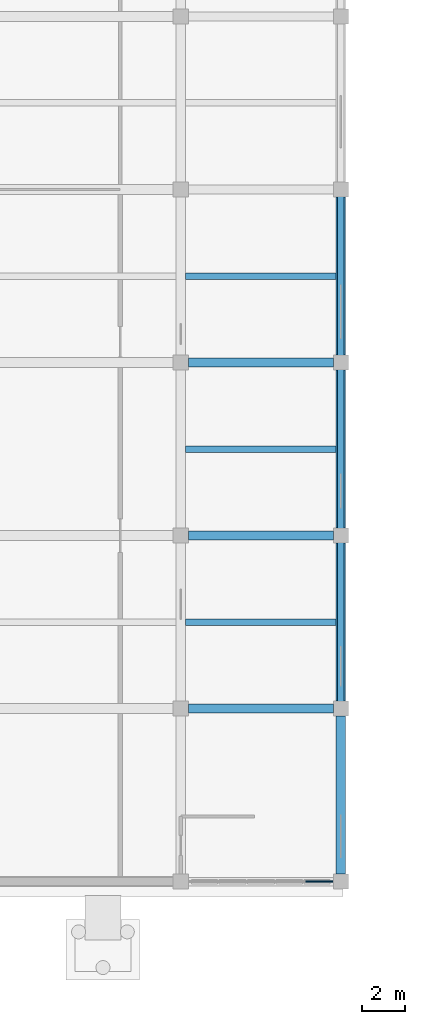
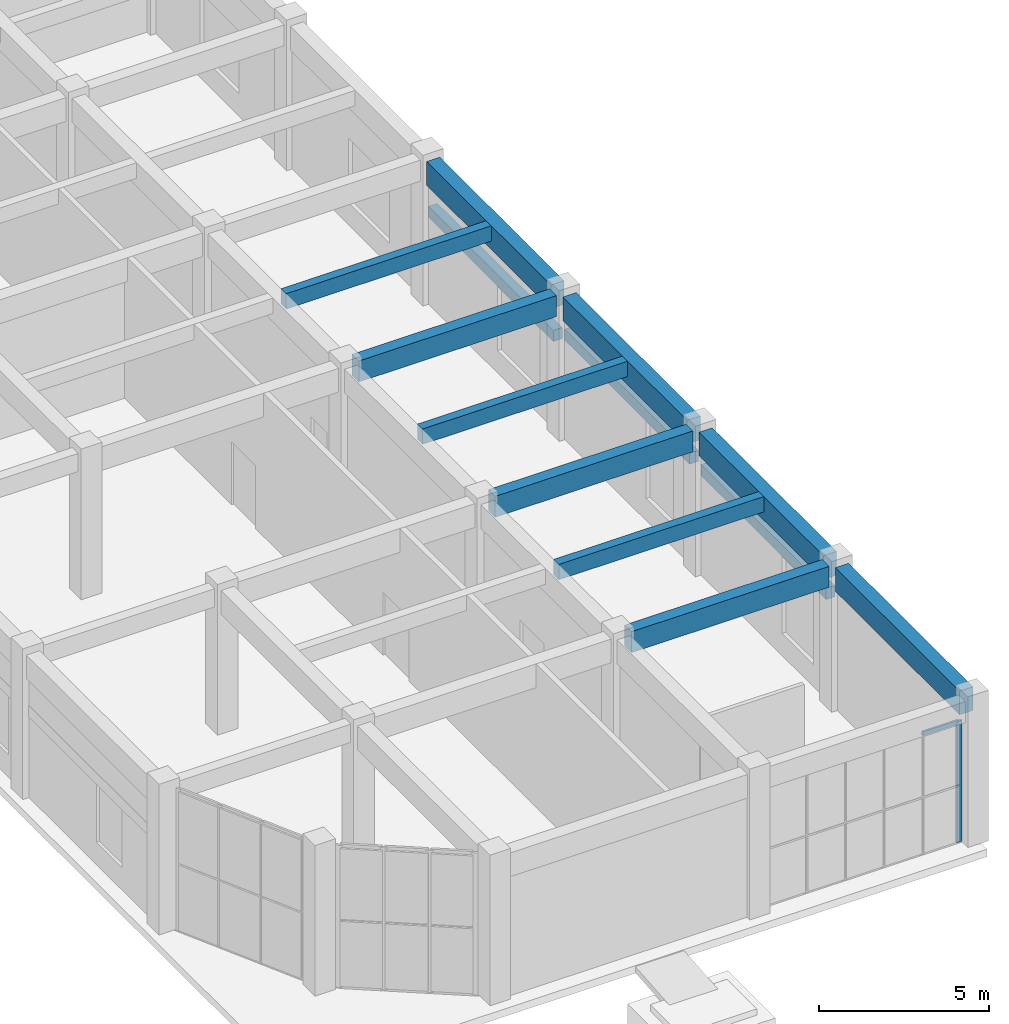
# One storey, part 18 of 46: 13 beams, 2 members, 1 element without a shape of its own.
"""IFC4 building model written with IfcOpenShell, lengths in metres."""

from ifc_helpers import new_model, si_unit, direction, frame, origin, origin_2d, place, context, subcontext, project, spatial, rectangle, extrude, material, layer, layer_set, material_profile, profile_set, type_object, element, aggregate, save


model = new_model("IFC4")

# Units and contexts
model_context = context("Model", 3, precision=1e-05, world=origin(), true_north=direction((0.0, 1.0)))
body_context = subcontext(model_context, "Body", "Model", "MODEL_VIEW")
ifc_project = project(units=[si_unit("LENGTHUNIT", "METRE"), si_unit("AREAUNIT", "SQUARE_METRE"), si_unit("VOLUMEUNIT", "CUBIC_METRE"), si_unit("PLANEANGLEUNIT", "RADIAN"), si_unit("MASSUNIT", "GRAM", prefix="KILO")], contexts=[model_context])

# Site, building, storey
site_placement = place(None, origin())
site = spatial("IfcSite", under=ifc_project, at=site_placement, CompositionType="ELEMENT")
building_placement = place(site_placement, origin())
building = spatial("IfcBuilding", under=site, at=building_placement, Name="Cinchona Park Media Centre", CompositionType="ELEMENT")
storey_placement = place(building_placement, origin())
storey = spatial("IfcBuildingStorey", under=building, at=storey_placement, Name="L00", CompositionType="ELEMENT", Elevation=0.0)

# Beams
ifc_material_1 = material(Name="Concrete C35/45", Category="concrete")
ifc_material_profile_1 = material_profile(ifc_material_1, rectangle(XDim=0.39990234375, YDim=0.75, at=origin_2d()), Name="RB 400X750")
ifc_profile_set_1 = profile_set([ifc_material_profile_1], Name="Concrete C35/45")
beam_type_1 = type_object("IfcBeamType", Name="BEAM-B01-RB400X750", PredefinedType="BEAM", material=ifc_profile_set_1)
for number, where, z_axis, x_axis, name in (
    (1, (164.949951171875, 15.60009765625, 4.764892578125), (1.0, 0.0, 0.0), (0.0, 1.0, 0.0), "Beam B01 L00"),
    (2, (164.949951171875, 23.60009765625, 4.764892578125), (1.0, 0.0, 0.0), (0.0, 1.0, 0.0), "Beam B01 L00"),
    (3, (164.949951171875, 31.60009765625, 4.764892578125), (1.0, 0.0, 0.0), (0.0, 1.0, 0.0), "Beam B01 L00"),
):
    element("IfcBeam", number, at=place(storey_placement, frame(where, z_axis=z_axis, x_axis=x_axis)), inside=storey, type_object=beam_type_1, Name=name, PredefinedType="BEAM", context=body_context, shape_type="SweptSolid", body=[
        extrude(rectangle(XDim=0.39990234375, YDim=0.75, at=origin_2d()), origin(), (0.0, 0.0, 1.0), 6.699951171875),
    ])
ifc_material_2 = material(Name="Concrete C35/45", Category="concrete")
ifc_material_profile_2 = material_profile(ifc_material_2, rectangle(XDim=0.449951171875, YDim=0.85009765625, at=origin_2d()), Name="RB 450X850")
ifc_profile_set_2 = profile_set([ifc_material_profile_2], Name="Concrete C35/45")
beam_type_2 = type_object("IfcBeamType", Name="BEAM-B02-RB450X850", PredefinedType="BEAM", material=ifc_profile_set_2)
for number, where, z_axis, x_axis, name in (
    (4, (172.0, 7.949951171875, 4.715087890625), (0.0, 1.0, 0.0), (-1.0, 0.0, 0.0), "Girder B02 L00"),
    (5, (172.0, 15.949951171875, 4.715087890625), (0.0, 1.0, 0.0), (-1.0, 0.0, 0.0), "Girder B02 L00"),
    (6, (172.0, 23.949951171875, 4.715087890625), (0.0, 1.0, 0.0), (-1.0, 0.0, 0.0), "Girder B02 L00"),
    (7, (172.0, 31.949951171875, 4.715087890625), (0.0, 1.0, 0.0), (-1.0, 0.0, 0.0), "Girder B02 L00"),
):
    element("IfcBeam", number, at=place(storey_placement, frame(where, z_axis=z_axis, x_axis=x_axis)), inside=storey, type_object=beam_type_2, Name=name, PredefinedType="BEAM", context=body_context, shape_type="SweptSolid", body=[
        extrude(rectangle(XDim=0.449951171875, YDim=0.85009765625, at=origin_2d()), origin(), (0.0, 0.0, 1.0), 7.300048828125),
    ])
ifc_material_3 = material(Name="Concrete C35/45", Category="concrete")
ifc_material_profile_3 = material_profile(ifc_material_3, rectangle(XDim=0.300048828125, YDim=0.550048828125, at=origin_2d()), Name="RB 300X550")
ifc_profile_set_3 = profile_set([ifc_material_profile_3], Name="Concrete C35/45")
beam_type_3 = type_object("IfcBeamType", Name="BEAM-J01-RB300X550", PredefinedType="JOIST", material=ifc_profile_set_3)
for number, where, z_axis, x_axis, name in (
    (8, (164.824951171875, 19.60009765625, 4.864990234375), (1.0, 0.0, 0.0), (0.0, 1.0, 0.0), "Floor Joist J01 L00"),
    (9, (164.824951171875, 27.60009765625, 4.864990234375), (1.0, 0.0, 0.0), (0.0, 1.0, 0.0), "Floor Joist J01 L00"),
    (10, (164.824951171875, 35.60009765625, 4.864990234375), (1.0, 0.0, 0.0), (0.0, 1.0, 0.0), "Floor Joist J01 L00"),
):
    element("IfcBeam", number, at=place(storey_placement, frame(where, z_axis=z_axis, x_axis=x_axis)), inside=storey, type_object=beam_type_3, Name=name, PredefinedType="JOIST", context=body_context, shape_type="SweptSolid", body=[
        extrude(rectangle(XDim=0.300048828125, YDim=0.550048828125, at=origin_2d()), origin(), (0.0, 0.0, 1.0), 6.949951171875),
    ])
ifc_material_4 = material(Name="Concrete C35/45", Category="concrete")
ifc_material_profile_4 = material_profile(ifc_material_4, rectangle(XDim=0.300048828125, YDim=0.39990234375, at=origin_2d()), Name="RL 300X400")
ifc_profile_set_4 = profile_set([ifc_material_profile_4], Name="Concrete C35/45")
beam_type_4 = type_object("IfcBeamType", Name="BEAM-LN02-RL300X400", PredefinedType="LINTEL", material=ifc_profile_set_4)
for number, where, z_axis, x_axis, name in (
    (11, (172.0, 39.27001953125, 3.300048828125), (0.0, -1.0, 0.0), (1.0, 0.0, 0.0), "Window Lintel LN02"),
    (12, (172.0, 31.27001953125, 3.75), (0.0, -1.0, 0.0), (1.0, 0.0, 0.0), "Window Lintel LN02"),
    (13, (172.0, 23.27001953125, 3.75), (0.0, -1.0, 0.0), (1.0, 0.0, 0.0), "Window Lintel LN02"),
):
    element("IfcBeam", number, at=place(storey_placement, frame(where, z_axis=z_axis, x_axis=x_axis)), inside=storey, type_object=beam_type_4, Name=name, PredefinedType="LINTEL", context=body_context, shape_type="SweptSolid", body=[
        extrude(rectangle(XDim=0.300048828125, YDim=0.39990234375, at=origin_2d()), origin(), (0.0, 0.0, 1.0), 7.340087890625),
    ])

# Curtain wall, members
ifc_material_5 = material(Name="Aluminium Curtain Wall Framing", Category="aluminium")
ifc_layer = layer(ifc_material_5, 0.239990234375)
ifc_layer_set = layer_set([ifc_layer], Name="Aluminium Curtain Wall Framing")
curtain_wall_type = type_object("IfcCurtainWallType", Name="CW-CW05", PredefinedType="USERDEFINED", material=ifc_layer_set)
curtain_wall_placement = place(storey_placement, origin())
curtain_wall = element("IfcCurtainWall", 14, at=curtain_wall_placement, inside=storey, type_object=curtain_wall_type, Name="Curtain Wall CW05 L00", ObjectType="UNITISED CURTAIN WALL", PredefinedType="USERDEFINED")
ifc_material_6 = material(Name="Anodised Aluminium Alloy 6063-T6", Category="aluminium")
ifc_material_profile_5 = material_profile(ifc_material_6, rectangle(XDim=0.070068359375, YDim=0.179931640625, at=origin_2d()), Name="MUL-70X180")
ifc_profile_set_5 = profile_set([ifc_material_profile_5], Name="Anodised Aluminium Alloy 6063-T6")
member_type_1 = type_object("IfcMemberType", Name="MULLION-MUL02", PredefinedType="MULLION", material=ifc_profile_set_5)
member_1_placement = place(storey_placement, frame((171.544921875, 7.60009765625, 0.050048828125), z_axis=(0.0, 0.0, 1.0), x_axis=(0.0, -1.0, 0.0)))
member_1 = element("IfcMember", 15, at=member_1_placement, type_object=member_type_1, Name="CW05 mullion 1", PredefinedType="MULLION", context=body_context, shape_type="SweptSolid", body=[
    extrude(rectangle(XDim=0.070068359375, YDim=0.179931640625, at=origin_2d()), origin(), (0.0, 0.0, 1.0), 4.33984375),
])
ifc_material_7 = material(Name="Anodised Aluminium Alloy 6063-T6", Category="aluminium")
ifc_material_profile_6 = material_profile(ifc_material_7, rectangle(XDim=0.070068359375, YDim=0.139892578125, at=origin_2d()), Name="TRN-70X140")
ifc_profile_set_6 = profile_set([ifc_material_profile_6], Name="Anodised Aluminium Alloy 6063-T6")
member_type_2 = type_object("IfcMemberType", Name="TRANSOM-TRN02", PredefinedType="USERDEFINED", material=ifc_profile_set_6)
member_2_placement = place(storey_placement, frame((171.510009765625, 7.60009765625, 4.35498046875), z_axis=(-1.0, 0.0, 0.0), x_axis=(0.0, -1.0, 0.0)))
member_2 = element("IfcMember", 16, at=member_2_placement, type_object=member_type_2, Name="CW05 transom 1.3", ObjectType="TRANSOM", PredefinedType="USERDEFINED", context=body_context, shape_type="SweptSolid", body=[
    extrude(rectangle(XDim=0.070068359375, YDim=0.139892578125, at=origin_2d()), origin(), (0.0, 0.0, 1.0), 1.20703125),
])
aggregate(curtain_wall, [member_1, member_2])

save(model, "model.ifc")
